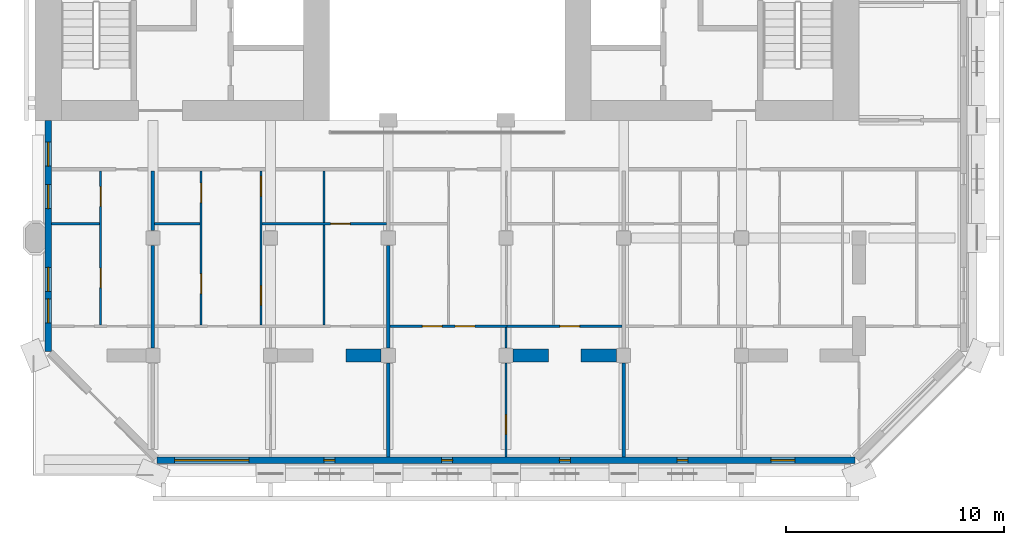
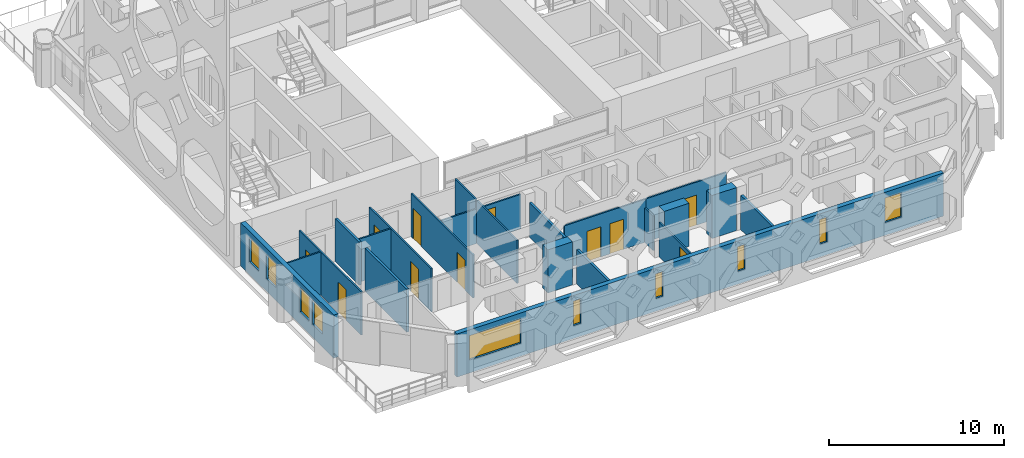
# One storey, part 6 of 15: 22 walls, 11 doors, 10 windows, 21 openings.
"""IFC4 building model written with IfcOpenShell, lengths in metres."""

from ifc_helpers import new_model, si_unit, direction, frame, frame_2d, origin, place, context, subcontext, project, spatial, rectangle, extrude, material, layer, layer_set, type_object, element, fill, save


model = new_model("IFC4")

# Units and contexts
model_context = context("Model", 3, precision=1e-05, world=origin(), true_north=direction((0.0, 1.0)))
body_context = subcontext(model_context, "Body", "Model", "MODEL_VIEW")
ifc_project = project(units=[si_unit("LENGTHUNIT", "METRE"), si_unit("AREAUNIT", "SQUARE_METRE"), si_unit("VOLUMEUNIT", "CUBIC_METRE"), si_unit("PLANEANGLEUNIT", "RADIAN"), si_unit("MASSUNIT", "GRAM", prefix="KILO")], contexts=[model_context])

# Site, building, storey
site_placement = place(None, origin())
site = spatial("IfcSite", under=ifc_project, at=site_placement, CompositionType="ELEMENT")
building_placement = place(site_placement, origin())
building = spatial("IfcBuilding", under=site, at=building_placement, Name="Tabaq Tower and Sports Hall", CompositionType="ELEMENT")
storey_placement = place(building_placement, frame((0.0, 0.0, 265.300048828125)))
storey = spatial("IfcBuildingStorey", under=building, at=storey_placement, Name="L64", CompositionType="ELEMENT", Elevation=265.300048828125)

# Wall
ifc_material_1 = material(Name="Gypsum board on steel studs", Category="steel")
ifc_layer_1 = layer(ifc_material_1, 0.10009765625)
ifc_layer_set_1 = layer_set([ifc_layer_1], Name="Partition 100 Gypsum board")
wall_type_1 = type_object("IfcWallType", Name="Partition 100 Gypsum board", PredefinedType="PARTITIONING", material=ifc_layer_set_1)
wall_1_placement = place(storey_placement, frame((8.35009765625, 11.449951171875, 0.0), z_axis=(0.0, 0.0, 1.0), x_axis=(-1.0, 0.0, 0.0)))
element("IfcWall", 1, at=wall_1_placement, inside=storey, type_object=wall_type_1, Name="Partition wall L64", PredefinedType="PARTITIONING", context=body_context, shape_type="SweptSolid", body=[
    extrude(rectangle(XDim=2.19921875, YDim=0.10009765625, at=frame_2d((1.099609375, 0.0))), origin(), (0.0, 0.0, 1.0), 3.0),
])

# Wall, openings, doors
wall_2_placement = place(storey_placement, frame((8.39990234375, 6.800048828125, 0.0), z_axis=(0.0, 0.0, 1.0), x_axis=(0.0, 1.0, 0.0)))
wall_2 = element("IfcWall", 2, at=wall_2_placement, inside=storey, type_object=wall_type_1, Name="Partition wall L64", PredefinedType="PARTITIONING", context=body_context, shape_type="SweptSolid", body=[
    extrude(rectangle(XDim=7.074951171875, YDim=0.10009765625, at=frame_2d((3.53759765625, 0.0))), origin(), (0.0, 0.0, 1.0), 3.0),
])
opening_1_placement = place(wall_2_placement, frame((5.449951171875, 0.0, 0.0)))
opening_1 = element("IfcOpeningElement", 3, at=opening_1_placement, cuts=wall_2, Name="Opening L64-014", PredefinedType="OPENING", context=body_context, shape_type="SweptSolid", body=[
    extrude(rectangle(XDim=0.89990234375, YDim=2.10009765625, at=frame_2d((0.449951171875, 1.050048828125))), frame((0.0, 0.050048828125, 0.0), z_axis=(0.0, -1.0, 0.0), x_axis=(1.0, 0.0, 0.0)), (0.0, 0.0, 1.0), 0.10009765625),
])
opening_2_placement = place(wall_2_placement, frame((1.717041015625, 0.0, 0.0)))
opening_2 = element("IfcOpeningElement", 4, at=opening_2_placement, cuts=wall_2, Name="Opening L64-036", PredefinedType="OPENING", context=body_context, shape_type="SweptSolid", body=[
    extrude(rectangle(XDim=0.89990234375, YDim=2.10009765625, at=frame_2d((0.449951171875, 1.050048828125))), frame((0.0, 0.050048828125, 0.0), z_axis=(0.0, -1.0, 0.0), x_axis=(1.0, 0.0, 0.0)), (0.0, 0.0, 1.0), 0.10009765625),
])
ifc_material_2 = material(Name="Timber leaf in steel frame", Category="steel")
door_type_1 = type_object("IfcDoorType", Name="Internal door 900 left hand", OperationType="SINGLE_SWING_LEFT", PredefinedType="DOOR", material=ifc_material_2)
door_1_placement = place(opening_2_placement, origin())
door_1 = element("IfcDoor", 5, at=door_1_placement, inside=storey, type_object=door_type_1, Name="Internal door L64-036", OperationType="SINGLE_SWING_LEFT", OverallHeight=2.10009765625, OverallWidth=0.89990234375, PredefinedType="DOOR", context=body_context, shape_type="SweptSolid", body=[
    extrude(rectangle(XDim=0.89990234375, YDim=2.10009765625, at=frame_2d((0.449951171875, 1.050048828125))), frame((0.0, 0.02490234375, 0.0), z_axis=(0.0, -1.0, 0.0), x_axis=(1.0, 0.0, 0.0)), (0.0, 0.0, 1.0), 0.050048828125),
])
fill(opening_2, door_1)
ifc_material_3 = material(Name="Timber leaf in steel frame", Category="steel")
door_type_2 = type_object("IfcDoorType", Name="Internal door 900 right hand", OperationType="SINGLE_SWING_RIGHT", PredefinedType="DOOR", material=ifc_material_3)
door_2_placement = place(opening_1_placement, origin())
door_2 = element("IfcDoor", 6, at=door_2_placement, inside=storey, type_object=door_type_2, Name="Internal door L64-014", OperationType="SINGLE_SWING_RIGHT", OverallHeight=2.10009765625, OverallWidth=0.89990234375, PredefinedType="DOOR", context=body_context, shape_type="SweptSolid", body=[
    extrude(rectangle(XDim=0.89990234375, YDim=2.10009765625, at=frame_2d((0.449951171875, 1.050048828125))), frame((0.0, 0.02490234375, 0.0), z_axis=(0.0, -1.0, 0.0), x_axis=(1.0, 0.0, 0.0)), (0.0, 0.0, 1.0), 0.050048828125),
])
fill(opening_1, door_2)

# Wall
wall_3_placement = place(storey_placement, frame((12.9619140625, 11.449951171875, 0.0), z_axis=(0.0, 0.0, 1.0), x_axis=(-1.0, 0.0, 0.0)))
element("IfcWall", 7, at=wall_3_placement, inside=storey, type_object=wall_type_1, Name="Partition wall L64", PredefinedType="PARTITIONING", context=body_context, shape_type="SweptSolid", body=[
    extrude(rectangle(XDim=2.0869140625, YDim=0.10009765625, at=frame_2d((1.04345703125, 0.0))), origin(), (0.0, 0.0, 1.0), 3.0),
])

# Wall, openings, doors
wall_4_placement = place(storey_placement, frame((13.011962890625, 6.800048828125, 0.0), z_axis=(0.0, 0.0, 1.0), x_axis=(0.0, 1.0, 0.0)))
wall_4 = element("IfcWall", 8, at=wall_4_placement, inside=storey, type_object=wall_type_1, Name="Partition wall L64", PredefinedType="PARTITIONING", context=body_context, shape_type="SweptSolid", body=[
    extrude(rectangle(XDim=7.074951171875, YDim=0.10009765625, at=frame_2d((3.53759765625, 0.0))), origin(), (0.0, 0.0, 1.0), 3.0),
])
opening_3_placement = place(wall_4_placement, frame((5.616943359375, 0.0, 0.0)))
opening_3 = element("IfcOpeningElement", 9, at=opening_3_placement, cuts=wall_4, Name="Opening L64-015", PredefinedType="OPENING", context=body_context, shape_type="SweptSolid", body=[
    extrude(rectangle(XDim=0.89990234375, YDim=2.10009765625, at=frame_2d((0.449951171875, 1.050048828125))), frame((0.0, 0.050048828125, 0.0), z_axis=(0.0, -1.0, 0.0), x_axis=(1.0, 0.0, 0.0)), (0.0, 0.0, 1.0), 0.10009765625),
])
opening_4_placement = place(wall_4_placement, frame((1.449951171875, 0.0, 0.0)))
opening_4 = element("IfcOpeningElement", 10, at=opening_4_placement, cuts=wall_4, Name="Opening L64-040", PredefinedType="OPENING", context=body_context, shape_type="SweptSolid", body=[
    extrude(rectangle(XDim=0.89990234375, YDim=2.10009765625, at=frame_2d((0.449951171875, 1.050048828125))), frame((0.0, 0.050048828125, 0.0), z_axis=(0.0, -1.0, 0.0), x_axis=(1.0, 0.0, 0.0)), (0.0, 0.0, 1.0), 0.10009765625),
])
door_3_placement = place(opening_3_placement, origin())
door_3 = element("IfcDoor", 11, at=door_3_placement, inside=storey, type_object=door_type_1, Name="Internal door L64-015", OperationType="SINGLE_SWING_LEFT", OverallHeight=2.10009765625, OverallWidth=0.89990234375, PredefinedType="DOOR", context=body_context, shape_type="SweptSolid", body=[
    extrude(rectangle(XDim=0.89990234375, YDim=2.10009765625, at=frame_2d((0.449951171875, 1.050048828125))), frame((0.0, 0.02490234375, 0.0), z_axis=(0.0, -1.0, 0.0), x_axis=(1.0, 0.0, 0.0)), (0.0, 0.0, 1.0), 0.050048828125),
])
fill(opening_3, door_3)
door_4_placement = place(opening_4_placement, origin())
door_4 = element("IfcDoor", 12, at=door_4_placement, inside=storey, type_object=door_type_2, Name="Internal door L64-040", OperationType="SINGLE_SWING_RIGHT", OverallHeight=2.10009765625, OverallWidth=0.89990234375, PredefinedType="DOOR", context=body_context, shape_type="SweptSolid", body=[
    extrude(rectangle(XDim=0.89990234375, YDim=2.10009765625, at=frame_2d((0.449951171875, 1.050048828125))), frame((0.0, 0.02490234375, 0.0), z_axis=(0.0, -1.0, 0.0), x_axis=(1.0, 0.0, 0.0)), (0.0, 0.0, 1.0), 0.050048828125),
])
fill(opening_4, door_4)

wall_5_placement = place(storey_placement, frame((15.761962890625, 6.800048828125, 0.0), z_axis=(0.0, 0.0, 1.0), x_axis=(0.0, 1.0, 0.0)))
wall_5 = element("IfcWall", 13, at=wall_5_placement, inside=storey, type_object=wall_type_1, Name="Partition wall L64", PredefinedType="PARTITIONING", context=body_context, shape_type="SweptSolid", body=[
    extrude(rectangle(XDim=7.074951171875, YDim=0.10009765625, at=frame_2d((3.53759765625, 0.0))), origin(), (0.0, 0.0, 1.0), 3.0),
])
opening_5_placement = place(wall_5_placement, frame((0.9169921875, 0.0, 0.0)))
opening_5 = element("IfcOpeningElement", 14, at=opening_5_placement, cuts=wall_5, Name="Opening L64-016", PredefinedType="OPENING", context=body_context, shape_type="SweptSolid", body=[
    extrude(rectangle(XDim=0.89990234375, YDim=2.10009765625, at=frame_2d((0.449951171875, 1.050048828125))), frame((0.0, 0.050048828125, 0.0), z_axis=(0.0, -1.0, 0.0), x_axis=(1.0, 0.0, 0.0)), (0.0, 0.0, 1.0), 0.10009765625),
])
opening_6_placement = place(wall_5_placement, frame((5.925048828125, 0.0, 0.0)))
opening_6 = element("IfcOpeningElement", 15, at=opening_6_placement, cuts=wall_5, Name="Opening L64-017", PredefinedType="OPENING", context=body_context, shape_type="SweptSolid", body=[
    extrude(rectangle(XDim=0.89990234375, YDim=2.10009765625, at=frame_2d((0.449951171875, 1.050048828125))), frame((0.0, 0.050048828125, 0.0), z_axis=(0.0, -1.0, 0.0), x_axis=(1.0, 0.0, 0.0)), (0.0, 0.0, 1.0), 0.10009765625),
])
door_5_placement = place(opening_5_placement, origin())
door_5 = element("IfcDoor", 16, at=door_5_placement, inside=storey, type_object=door_type_2, Name="Internal door L64-016", OperationType="SINGLE_SWING_RIGHT", OverallHeight=2.10009765625, OverallWidth=0.89990234375, PredefinedType="DOOR", context=body_context, shape_type="SweptSolid", body=[
    extrude(rectangle(XDim=0.89990234375, YDim=2.10009765625, at=frame_2d((0.449951171875, 1.050048828125))), frame((0.0, 0.02490234375, 0.0), z_axis=(0.0, -1.0, 0.0), x_axis=(1.0, 0.0, 0.0)), (0.0, 0.0, 1.0), 0.050048828125),
])
fill(opening_5, door_5)
door_6_placement = place(opening_6_placement, origin())
door_6 = element("IfcDoor", 17, at=door_6_placement, inside=storey, type_object=door_type_2, Name="Internal door L64-017", OperationType="SINGLE_SWING_RIGHT", OverallHeight=2.10009765625, OverallWidth=0.89990234375, PredefinedType="DOOR", context=body_context, shape_type="SweptSolid", body=[
    extrude(rectangle(XDim=0.89990234375, YDim=2.10009765625, at=frame_2d((0.449951171875, 1.050048828125))), frame((0.0, 0.02490234375, 0.0), z_axis=(0.0, -1.0, 0.0), x_axis=(1.0, 0.0, 0.0)), (0.0, 0.0, 1.0), 0.050048828125),
])
fill(opening_6, door_6)

# Walls
wall_6_placement = place(storey_placement, frame((18.64990234375, 6.800048828125, 0.0), z_axis=(0.0, 0.0, 1.0), x_axis=(0.0, 1.0, 0.0)))
element("IfcWall", 18, at=wall_6_placement, inside=storey, type_object=wall_type_1, Name="Partition wall L64", PredefinedType="PARTITIONING", context=body_context, shape_type="SweptSolid", body=[
    extrude(rectangle(XDim=4.599853515625, YDim=0.10009765625, at=frame_2d((2.2998046875, 0.0))), origin(), (0.0, 0.0, 1.0), 3.0),
])
wall_7_placement = place(storey_placement, frame((18.64990234375, 11.5, 0.0), z_axis=(0.0, 0.0, 1.0), x_axis=(0.0, 1.0, 0.0)))
element("IfcWall", 19, at=wall_7_placement, inside=storey, type_object=wall_type_1, Name="Partition wall L64", PredefinedType="PARTITIONING", context=body_context, shape_type="SweptSolid", body=[
    extrude(rectangle(XDim=2.375, YDim=0.10009765625, at=frame_2d((1.1875, 0.0))), origin(), (0.0, 0.0, 1.0), 3.0),
])

# Wall, opening, door
wall_8_placement = place(storey_placement, frame((21.52490234375, 11.449951171875, 0.0), z_axis=(0.0, 0.0, 1.0), x_axis=(-1.0, 0.0, 0.0)))
wall_8 = element("IfcWall", 20, at=wall_8_placement, inside=storey, type_object=wall_type_1, Name="Partition wall L64", PredefinedType="PARTITIONING", context=body_context, shape_type="SweptSolid", body=[
    extrude(rectangle(XDim=5.712890625, YDim=0.10009765625, at=frame_2d((2.8564453125, 0.0))), origin(), (0.0, 0.0, 1.0), 2.39990234375),
])
opening_7_placement = place(wall_8_placement, frame((1.675048828125, 0.0, 0.0)))
opening_7 = element("IfcOpeningElement", 21, at=opening_7_placement, cuts=wall_8, Name="Opening L64-018", PredefinedType="OPENING", context=body_context, shape_type="SweptSolid", body=[
    extrude(rectangle(XDim=0.89990234375, YDim=2.10009765625, at=frame_2d((0.449951171875, 1.050048828125))), frame((0.0, 0.050048828125, 0.0), z_axis=(0.0, -1.0, 0.0), x_axis=(1.0, 0.0, 0.0)), (0.0, 0.0, 1.0), 0.10009765625),
])
door_7_placement = place(opening_7_placement, origin())
door_7 = element("IfcDoor", 22, at=door_7_placement, inside=storey, type_object=door_type_2, Name="Internal door L64-018", OperationType="SINGLE_SWING_RIGHT", OverallHeight=2.10009765625, OverallWidth=0.89990234375, PredefinedType="DOOR", context=body_context, shape_type="SweptSolid", body=[
    extrude(rectangle(XDim=0.89990234375, YDim=2.10009765625, at=frame_2d((0.449951171875, 1.050048828125))), frame((0.0, 0.02490234375, 0.0), z_axis=(0.0, -1.0, 0.0), x_axis=(1.0, 0.0, 0.0)), (0.0, 0.0, 1.0), 0.050048828125),
])
fill(opening_7, door_7)

# Wall, openings, doors
wall_9_placement = place(storey_placement, frame((27.050048828125, 6.75, 0.0), z_axis=(0.0, 0.0, 1.0), x_axis=(-1.0, 0.0, 0.0)))
wall_9 = element("IfcWall", 23, at=wall_9_placement, inside=storey, type_object=wall_type_1, Name="Partition wall L64", PredefinedType="PARTITIONING", context=body_context, shape_type="SweptSolid", body=[
    extrude(rectangle(XDim=5.375, YDim=0.10009765625, at=frame_2d((2.6875, 0.0))), origin(), (0.0, 0.0, 1.0), 3.0),
])
opening_8_placement = place(wall_9_placement, frame((2.97998046875, 0.0, 0.0)))
opening_8 = element("IfcOpeningElement", 24, at=opening_8_placement, cuts=wall_9, Name="Opening L64-042", PredefinedType="OPENING", context=body_context, shape_type="SweptSolid", body=[
    extrude(rectangle(XDim=0.89990234375, YDim=2.10009765625, at=frame_2d((0.449951171875, 1.050048828125))), frame((0.0, 0.050048828125, 0.0), z_axis=(0.0, -1.0, 0.0), x_axis=(1.0, 0.0, 0.0)), (0.0, 0.0, 1.0), 0.10009765625),
])
opening_9_placement = place(wall_9_placement, frame((1.47998046875, 0.0, 0.0)))
opening_9 = element("IfcOpeningElement", 25, at=opening_9_placement, cuts=wall_9, Name="Opening L64-055", PredefinedType="OPENING", context=body_context, shape_type="SweptSolid", body=[
    extrude(rectangle(XDim=0.89990234375, YDim=2.10009765625, at=frame_2d((0.449951171875, 1.050048828125))), frame((0.0, 0.050048828125, 0.0), z_axis=(0.0, -1.0, 0.0), x_axis=(1.0, 0.0, 0.0)), (0.0, 0.0, 1.0), 0.10009765625),
])
door_8_placement = place(opening_9_placement, origin())
door_8 = element("IfcDoor", 26, at=door_8_placement, inside=storey, type_object=door_type_1, Name="Internal door L64-055", OperationType="SINGLE_SWING_LEFT", OverallHeight=2.10009765625, OverallWidth=0.89990234375, PredefinedType="DOOR", context=body_context, shape_type="SweptSolid", body=[
    extrude(rectangle(XDim=0.89990234375, YDim=2.10009765625, at=frame_2d((0.449951171875, 1.050048828125))), frame((0.0, 0.02490234375, 0.0), z_axis=(0.0, -1.0, 0.0), x_axis=(1.0, 0.0, 0.0)), (0.0, 0.0, 1.0), 0.050048828125),
])
fill(opening_9, door_8)
door_9_placement = place(opening_8_placement, origin())
door_9 = element("IfcDoor", 27, at=door_9_placement, inside=storey, type_object=door_type_2, Name="Internal door L64-042", OperationType="SINGLE_SWING_RIGHT", OverallHeight=2.10009765625, OverallWidth=0.89990234375, PredefinedType="DOOR", context=body_context, shape_type="SweptSolid", body=[
    extrude(rectangle(XDim=0.89990234375, YDim=2.10009765625, at=frame_2d((0.449951171875, 1.050048828125))), frame((0.0, 0.02490234375, 0.0), z_axis=(0.0, -1.0, 0.0), x_axis=(1.0, 0.0, 0.0)), (0.0, 0.0, 1.0), 0.050048828125),
])
fill(opening_8, door_9)

# Wall, opening, door
wall_10_placement = place(storey_placement, frame((27.0, 0.7509765625, 0.0), z_axis=(0.0, 0.0, 1.0), x_axis=(0.0, 1.0, 0.0)))
wall_10 = element("IfcWall", 28, at=wall_10_placement, inside=storey, type_object=wall_type_1, Name="Partition wall L64", PredefinedType="PARTITIONING", context=body_context, shape_type="SweptSolid", body=[
    extrude(rectangle(XDim=4.303955078125, YDim=0.10009765625, at=frame_2d((2.15185546875, 0.0))), origin(), (0.0, 0.0, 1.0), 2.39990234375),
])
opening_10_placement = place(wall_10_placement, frame((1.049072265625, 0.0, 0.0)))
opening_10 = element("IfcOpeningElement", 29, at=opening_10_placement, cuts=wall_10, Name="Opening L64-041", PredefinedType="OPENING", context=body_context, shape_type="SweptSolid", body=[
    extrude(rectangle(XDim=0.89990234375, YDim=2.10009765625, at=frame_2d((0.449951171875, 1.050048828125))), frame((0.0, 0.050048828125, 0.0), z_axis=(0.0, -1.0, 0.0), x_axis=(1.0, 0.0, 0.0)), (0.0, 0.0, 1.0), 0.10009765625),
])
door_10_placement = place(opening_10_placement, origin())
door_10 = element("IfcDoor", 30, at=door_10_placement, inside=storey, type_object=door_type_2, Name="Internal door L64-041", OperationType="SINGLE_SWING_RIGHT", OverallHeight=2.10009765625, OverallWidth=0.89990234375, PredefinedType="DOOR", context=body_context, shape_type="SweptSolid", body=[
    extrude(rectangle(XDim=0.89990234375, YDim=2.10009765625, at=frame_2d((0.449951171875, 1.050048828125))), frame((0.0, 0.02490234375, 0.0), z_axis=(0.0, -1.0, 0.0), x_axis=(1.0, 0.0, 0.0)), (0.0, 0.0, 1.0), 0.050048828125),
])
fill(opening_10, door_10)

# Wall
wall_11_placement = place(storey_placement, frame((27.0, 5.7451171875, 0.0), z_axis=(0.0, 0.0, 1.0), x_axis=(0.0, 1.0, 0.0)))
element("IfcWall", 31, at=wall_11_placement, inside=storey, type_object=wall_type_1, Name="Partition wall L64", PredefinedType="PARTITIONING", context=body_context, shape_type="SweptSolid", body=[
    extrude(rectangle(XDim=0.954833984375, YDim=0.10009765625, at=frame_2d((0.4775390625, 0.0))), origin(), (0.0, 0.0, 1.0), 2.39990234375),
])

# Wall, opening, door
wall_12_placement = place(storey_placement, frame((32.324951171875, 6.75, 0.0), z_axis=(0.0, 0.0, 1.0), x_axis=(-1.0, 0.0, 0.0)))
wall_12 = element("IfcWall", 32, at=wall_12_placement, inside=storey, type_object=wall_type_1, Name="Partition wall L64", PredefinedType="PARTITIONING", context=body_context, shape_type="SweptSolid", body=[
    extrude(rectangle(XDim=5.35498046875, YDim=0.10009765625, at=frame_2d((2.677490234375, 0.0))), origin(), (0.0, 0.0, 1.0), 3.0),
])
opening_11_placement = place(wall_12_placement, frame((1.948974609375, 0.0, 0.0)))
opening_11 = element("IfcOpeningElement", 33, at=opening_11_placement, cuts=wall_12, Name="Opening L64-043", PredefinedType="OPENING", context=body_context, shape_type="SweptSolid", body=[
    extrude(rectangle(XDim=0.89990234375, YDim=2.10009765625, at=frame_2d((0.449951171875, 1.050048828125))), frame((0.0, 0.050048828125, 0.0), z_axis=(0.0, -1.0, 0.0), x_axis=(1.0, 0.0, 0.0)), (0.0, 0.0, 1.0), 0.10009765625),
])
door_11_placement = place(opening_11_placement, origin())
door_11 = element("IfcDoor", 34, at=door_11_placement, inside=storey, type_object=door_type_1, Name="Internal door L64-043", OperationType="SINGLE_SWING_LEFT", OverallHeight=2.10009765625, OverallWidth=0.89990234375, PredefinedType="DOOR", context=body_context, shape_type="SweptSolid", body=[
    extrude(rectangle(XDim=0.89990234375, YDim=2.10009765625, at=frame_2d((0.449951171875, 1.050048828125))), frame((0.0, 0.02490234375, 0.0), z_axis=(0.0, -1.0, 0.0), x_axis=(1.0, 0.0, 0.0)), (0.0, 0.0, 1.0), 0.050048828125),
])
fill(opening_11, door_11)

# Walls
ifc_material_4 = material(Name="Concrete C40/50", Category="concrete")
ifc_layer_2 = layer(ifc_material_4, 0.60009765625)
ifc_layer_set_2 = layer_set([ifc_layer_2], Name="RC TRANSFER WALL 600 C40/50")
wall_type_2 = type_object("IfcWallType", Name="RC TRANSFER WALL 600 C40/50", PredefinedType="SHEAR", material=ifc_layer_set_2)
for number, where, z_axis, x_axis, name in (
    (35, (19.64990234375, 5.39990234375, 0.0), (0.0, 0.0, 1.0), (1.0, 0.0, 0.0), "Transfer Wall L64 South 8"),
    (36, (27.324951171875, 5.39990234375, 0.0), (0.0, 0.0, 1.0), (1.0, 0.0, 0.0), "Transfer Wall L64 South 9"),
    (37, (30.449951171875, 5.39990234375, 0.0), (0.0, 0.0, 1.0), (1.0, 0.0, 0.0), "Transfer Wall L64 South 10"),
):
    element("IfcWall", number, at=place(storey_placement, frame(where, z_axis=z_axis, x_axis=x_axis)), inside=storey, type_object=wall_type_2, Name=name, PredefinedType="SHEAR", context=body_context, shape_type="SweptSolid", body=[
        extrude(rectangle(XDim=1.625, YDim=0.60009765625, at=frame_2d((0.8125, 0.0))), origin(), (0.0, 0.0, 1.0), 3.0),
    ])
ifc_material_5 = material(Name="Blockwork", Category="masonry")
ifc_layer_3 = layer(ifc_material_5, 0.14990234375)
ifc_layer_set_3 = layer_set([ifc_layer_3], Name="Separating wall 150 Blockwork")
wall_type_3 = type_object("IfcWallType", Name="Separating wall 150 Blockwork", PredefinedType="PARTITIONING", material=ifc_layer_set_3)
wall_13_placement = place(storey_placement, frame((10.800048828125, 5.7451171875, 0.0), z_axis=(0.0, 0.0, 1.0), x_axis=(0.0, 1.0, 0.0)))
element("IfcWall", 38, at=wall_13_placement, inside=storey, type_object=wall_type_3, Name="Separating wall L64", PredefinedType="PARTITIONING", context=body_context, shape_type="SweptSolid", body=[
    extrude(rectangle(XDim=4.7099609375, YDim=0.14990234375, at=frame_2d((2.35498046875, 0.0))), origin(), (0.0, 0.0, 1.0), 3.0),
])
wall_14_placement = place(storey_placement, frame((10.800048828125, 11.14501953125, 0.0), z_axis=(0.0, 0.0, 1.0), x_axis=(0.0, 1.0, 0.0)))
element("IfcWall", 39, at=wall_14_placement, inside=storey, type_object=wall_type_3, Name="Separating wall L64", PredefinedType="PARTITIONING", context=body_context, shape_type="SweptSolid", body=[
    extrude(rectangle(XDim=2.72998046875, YDim=0.14990234375, at=frame_2d((1.364990234375, 0.0))), origin(), (0.0, 0.0, 1.0), 3.0),
])
wall_15_placement = place(storey_placement, frame((21.60009765625, 0.7509765625, 0.0), z_axis=(0.0, 0.0, 1.0), x_axis=(0.0, 1.0, 0.0)))
element("IfcWall", 40, at=wall_15_placement, inside=storey, type_object=wall_type_3, Name="Separating wall L64", PredefinedType="PARTITIONING", context=body_context, shape_type="SweptSolid", body=[
    extrude(rectangle(XDim=4.303955078125, YDim=0.14990234375, at=frame_2d((2.15185546875, 0.0))), origin(), (0.0, 0.0, 1.0), 2.39990234375),
])
wall_16_placement = place(storey_placement, frame((21.60009765625, 5.7451171875, 0.0), z_axis=(0.0, 0.0, 1.0), x_axis=(0.0, 1.0, 0.0)))
element("IfcWall", 41, at=wall_16_placement, inside=storey, type_object=wall_type_3, Name="Separating wall L64", PredefinedType="PARTITIONING", context=body_context, shape_type="SweptSolid", body=[
    extrude(rectangle(XDim=4.7099609375, YDim=0.14990234375, at=frame_2d((2.35498046875, 0.0))), origin(), (0.0, 0.0, 1.0), 2.39990234375),
])
wall_17_placement = place(storey_placement, frame((32.39990234375, 0.7509765625, 0.0), z_axis=(0.0, 0.0, 1.0), x_axis=(0.0, 1.0, 0.0)))
element("IfcWall", 42, at=wall_17_placement, inside=storey, type_object=wall_type_3, Name="Separating wall L64", PredefinedType="PARTITIONING", context=body_context, shape_type="SweptSolid", body=[
    extrude(rectangle(XDim=4.303955078125, YDim=0.14990234375, at=frame_2d((2.15185546875, 0.0))), origin(), (0.0, 0.0, 1.0), 2.39990234375),
])

# Wall, openings, windows
ifc_material_6 = material(Name="White precast concrete C60/75", Category="concrete")
ifc_layer_4 = layer(ifc_material_6, 0.300048828125)
ifc_layer_set_4 = layer_set([ifc_layer_4], Name="White precast concrete C60/75 external wall 300")
wall_type_4 = type_object("IfcWallType", Name="White precast concrete C60/75 external wall 300", PredefinedType="SOLIDWALL", material=ifc_layer_set_4)
wall_18_placement = place(storey_placement, frame((10.986328125, 0.60009765625, 0.0), z_axis=(0.0, 0.0, 1.0), x_axis=(1.0, 0.0, 0.0)))
wall_18 = element("IfcWall", 43, at=wall_18_placement, inside=storey, type_object=wall_type_4, Name="External Wall L64 S", PredefinedType="SOLIDWALL", context=body_context, shape_type="SweptSolid", body=[
    extrude(rectangle(XDim=32.02734375, YDim=0.300048828125, at=frame_2d((16.013671875, 0.0))), origin(), (0.0, 0.0, 1.0), 3.0),
])
opening_12_placement = place(wall_18_placement, frame((0.813720703125, 0.0, 0.89990234375)))
opening_12 = element("IfcOpeningElement", 44, at=opening_12_placement, cuts=wall_18, Name="Opening W1A", PredefinedType="OPENING", context=body_context, shape_type="SweptSolid", body=[
    extrude(rectangle(XDim=3.39990234375, YDim=1.699951171875, at=frame_2d((1.699951171875, 0.85009765625))), frame((0.0, 0.16015625, 0.0), z_axis=(0.0, -1.0, 0.0), x_axis=(1.0, 0.0, 0.0)), (0.0, 0.0, 1.0), 0.320068359375),
])
opening_13_placement = place(wall_18_placement, frame((7.66357421875, 0.0, 0.89990234375)))
opening_13 = element("IfcOpeningElement", 45, at=opening_13_placement, cuts=wall_18, Name="Opening W1E", PredefinedType="OPENING", context=body_context, shape_type="SweptSolid", body=[
    extrude(rectangle(XDim=0.5, YDim=1.699951171875, at=frame_2d((0.25, 0.85009765625))), frame((0.0, 0.16015625, 0.0), z_axis=(0.0, -1.0, 0.0), x_axis=(1.0, 0.0, 0.0)), (0.0, 0.0, 1.0), 0.320068359375),
])
opening_14_placement = place(wall_18_placement, frame((13.063720703125, 0.0, 0.89990234375)))
opening_14 = element("IfcOpeningElement", 46, at=opening_14_placement, cuts=wall_18, Name="Opening W1E", PredefinedType="OPENING", context=body_context, shape_type="SweptSolid", body=[
    extrude(rectangle(XDim=0.5, YDim=1.699951171875, at=frame_2d((0.25, 0.85009765625))), frame((0.0, 0.16015625, 0.0), z_axis=(0.0, -1.0, 0.0), x_axis=(1.0, 0.0, 0.0)), (0.0, 0.0, 1.0), 0.320068359375),
])
opening_15_placement = place(wall_18_placement, frame((18.463623046875, 0.0, 0.89990234375)))
opening_15 = element("IfcOpeningElement", 47, at=opening_15_placement, cuts=wall_18, Name="Opening W1E", PredefinedType="OPENING", context=body_context, shape_type="SweptSolid", body=[
    extrude(rectangle(XDim=0.5, YDim=1.699951171875, at=frame_2d((0.25, 0.85009765625))), frame((0.0, 0.16015625, 0.0), z_axis=(0.0, -1.0, 0.0), x_axis=(1.0, 0.0, 0.0)), (0.0, 0.0, 1.0), 0.320068359375),
])
opening_16_placement = place(wall_18_placement, frame((23.863525390625, 0.0, 0.89990234375)))
opening_16 = element("IfcOpeningElement", 48, at=opening_16_placement, cuts=wall_18, Name="Opening W1E", PredefinedType="OPENING", context=body_context, shape_type="SweptSolid", body=[
    extrude(rectangle(XDim=0.5, YDim=1.699951171875, at=frame_2d((0.25, 0.85009765625))), frame((0.0, 0.16015625, 0.0), z_axis=(0.0, -1.0, 0.0), x_axis=(1.0, 0.0, 0.0)), (0.0, 0.0, 1.0), 0.320068359375),
])
opening_17_placement = place(wall_18_placement, frame((28.16357421875, 0.0, 0.89990234375)))
opening_17 = element("IfcOpeningElement", 49, at=opening_17_placement, cuts=wall_18, Name="Opening W1B", PredefinedType="OPENING", context=body_context, shape_type="SweptSolid", body=[
    extrude(rectangle(XDim=1.10009765625, YDim=1.699951171875, at=frame_2d((0.550048828125, 0.85009765625))), frame((0.0, 0.16015625, 0.0), z_axis=(0.0, -1.0, 0.0), x_axis=(1.0, 0.0, 0.0)), (0.0, 0.0, 1.0), 0.320068359375),
])
ifc_material_7 = material(Name="Aluminium framed clear glazing", Category="aluminium")
window_type_1 = type_object("IfcWindowType", Name="Window W1A", PartitioningType="SINGLE_PANEL", PredefinedType="WINDOW", material=ifc_material_7)
window_1_placement = place(opening_12_placement, origin())
window_1 = element("IfcWindow", 50, at=window_1_placement, inside=storey, type_object=window_type_1, Name="Window W1A L64", OverallHeight=1.699951171875, OverallWidth=3.39990234375, PartitioningType="SINGLE_PANEL", PredefinedType="WINDOW", context=body_context, shape_type="SweptSolid", body=[
    extrude(rectangle(XDim=3.39990234375, YDim=1.699951171875, at=frame_2d((1.699951171875, 0.85009765625))), frame((0.0, 0.030029296875, 0.0), z_axis=(0.0, -1.0, 0.0), x_axis=(1.0, 0.0, 0.0)), (0.0, 0.0, 1.0), 0.06005859375),
])
fill(opening_12, window_1)
ifc_material_8 = material(Name="Aluminium framed clear glazing", Category="aluminium")
window_type_2 = type_object("IfcWindowType", Name="Window W1B", PartitioningType="SINGLE_PANEL", PredefinedType="WINDOW", material=ifc_material_8)
window_2_placement = place(opening_17_placement, origin())
window_2 = element("IfcWindow", 51, at=window_2_placement, inside=storey, type_object=window_type_2, Name="Window W1B L64", OverallHeight=1.699951171875, OverallWidth=1.10009765625, PartitioningType="SINGLE_PANEL", PredefinedType="WINDOW", context=body_context, shape_type="SweptSolid", body=[
    extrude(rectangle(XDim=1.10009765625, YDim=1.699951171875, at=frame_2d((0.550048828125, 0.85009765625))), frame((0.0, 0.030029296875, 0.0), z_axis=(0.0, -1.0, 0.0), x_axis=(1.0, 0.0, 0.0)), (0.0, 0.0, 1.0), 0.06005859375),
])
fill(opening_17, window_2)
ifc_material_9 = material(Name="Aluminium framed clear glazing", Category="aluminium")
window_type_3 = type_object("IfcWindowType", Name="Window W1E", PartitioningType="SINGLE_PANEL", PredefinedType="WINDOW", material=ifc_material_9)
window_3_placement = place(opening_13_placement, origin())
window_3 = element("IfcWindow", 52, at=window_3_placement, inside=storey, type_object=window_type_3, Name="Window W1E L64", OverallHeight=1.699951171875, OverallWidth=0.5, PartitioningType="SINGLE_PANEL", PredefinedType="WINDOW", context=body_context, shape_type="SweptSolid", body=[
    extrude(rectangle(XDim=0.5, YDim=1.699951171875, at=frame_2d((0.25, 0.85009765625))), frame((0.0, 0.030029296875, 0.0), z_axis=(0.0, -1.0, 0.0), x_axis=(1.0, 0.0, 0.0)), (0.0, 0.0, 1.0), 0.06005859375),
])
fill(opening_13, window_3)
window_4_placement = place(opening_14_placement, origin())
window_4 = element("IfcWindow", 53, at=window_4_placement, inside=storey, type_object=window_type_3, Name="Window W1E L64", OverallHeight=1.699951171875, OverallWidth=0.5, PartitioningType="SINGLE_PANEL", PredefinedType="WINDOW", context=body_context, shape_type="SweptSolid", body=[
    extrude(rectangle(XDim=0.5, YDim=1.699951171875, at=frame_2d((0.25, 0.85009765625))), frame((0.0, 0.030029296875, 0.0), z_axis=(0.0, -1.0, 0.0), x_axis=(1.0, 0.0, 0.0)), (0.0, 0.0, 1.0), 0.06005859375),
])
fill(opening_14, window_4)
window_5_placement = place(opening_15_placement, origin())
window_5 = element("IfcWindow", 54, at=window_5_placement, inside=storey, type_object=window_type_3, Name="Window W1E L64", OverallHeight=1.699951171875, OverallWidth=0.5, PartitioningType="SINGLE_PANEL", PredefinedType="WINDOW", context=body_context, shape_type="SweptSolid", body=[
    extrude(rectangle(XDim=0.5, YDim=1.699951171875, at=frame_2d((0.25, 0.85009765625))), frame((0.0, 0.030029296875, 0.0), z_axis=(0.0, -1.0, 0.0), x_axis=(1.0, 0.0, 0.0)), (0.0, 0.0, 1.0), 0.06005859375),
])
fill(opening_15, window_5)
window_6_placement = place(opening_16_placement, origin())
window_6 = element("IfcWindow", 55, at=window_6_placement, inside=storey, type_object=window_type_3, Name="Window W1E L64", OverallHeight=1.699951171875, OverallWidth=0.5, PartitioningType="SINGLE_PANEL", PredefinedType="WINDOW", context=body_context, shape_type="SweptSolid", body=[
    extrude(rectangle(XDim=0.5, YDim=1.699951171875, at=frame_2d((0.25, 0.85009765625))), frame((0.0, 0.030029296875, 0.0), z_axis=(0.0, -1.0, 0.0), x_axis=(1.0, 0.0, 0.0)), (0.0, 0.0, 1.0), 0.06005859375),
])
fill(opening_16, window_6)

wall_19_placement = place(storey_placement, frame((6.0, 16.199951171875, 0.0), z_axis=(0.0, 0.0, 1.0), x_axis=(0.0, -1.0, 0.0)))
wall_19 = element("IfcWall", 56, at=wall_19_placement, inside=storey, type_object=wall_type_4, Name="External Wall L64 W", PredefinedType="SOLIDWALL", context=body_context, shape_type="SweptSolid", body=[
    extrude(rectangle(XDim=10.613525390625, YDim=0.300048828125, at=frame_2d((5.306640625, 0.0))), origin(), (0.0, 0.0, 1.0), 3.0),
])
opening_18_placement = place(wall_19_placement, frame((1.0, 0.0, 0.89990234375)))
opening_18 = element("IfcOpeningElement", 57, at=opening_18_placement, cuts=wall_19, Name="Opening W1B", PredefinedType="OPENING", context=body_context, shape_type="SweptSolid", body=[
    extrude(rectangle(XDim=1.10009765625, YDim=1.699951171875, at=frame_2d((0.550048828125, 0.85009765625))), frame((0.0, 0.16015625, 0.0), z_axis=(0.0, -1.0, 0.0), x_axis=(1.0, 0.0, 0.0)), (0.0, 0.0, 1.0), 0.320068359375),
])
opening_19_placement = place(wall_19_placement, frame((2.949951171875, 0.0, 0.89990234375)))
opening_19 = element("IfcOpeningElement", 58, at=opening_19_placement, cuts=wall_19, Name="Opening W1B", PredefinedType="OPENING", context=body_context, shape_type="SweptSolid", body=[
    extrude(rectangle(XDim=1.10009765625, YDim=1.699951171875, at=frame_2d((0.550048828125, 0.85009765625))), frame((0.0, 0.16015625, 0.0), z_axis=(0.0, -1.0, 0.0), x_axis=(1.0, 0.0, 0.0)), (0.0, 0.0, 1.0), 0.320068359375),
])
opening_20_placement = place(wall_19_placement, frame((6.75, 0.0, 0.89990234375)))
opening_20 = element("IfcOpeningElement", 59, at=opening_20_placement, cuts=wall_19, Name="Opening W1B", PredefinedType="OPENING", context=body_context, shape_type="SweptSolid", body=[
    extrude(rectangle(XDim=1.10009765625, YDim=1.699951171875, at=frame_2d((0.550048828125, 0.85009765625))), frame((0.0, 0.16015625, 0.0), z_axis=(0.0, -1.0, 0.0), x_axis=(1.0, 0.0, 0.0)), (0.0, 0.0, 1.0), 0.320068359375),
])
opening_21_placement = place(wall_19_placement, frame((8.199951171875, 0.0, 0.89990234375)))
opening_21 = element("IfcOpeningElement", 60, at=opening_21_placement, cuts=wall_19, Name="Opening W1B", PredefinedType="OPENING", context=body_context, shape_type="SweptSolid", body=[
    extrude(rectangle(XDim=1.10009765625, YDim=1.699951171875, at=frame_2d((0.550048828125, 0.85009765625))), frame((0.0, 0.16015625, 0.0), z_axis=(0.0, -1.0, 0.0), x_axis=(1.0, 0.0, 0.0)), (0.0, 0.0, 1.0), 0.320068359375),
])
window_7_placement = place(opening_18_placement, origin())
window_7 = element("IfcWindow", 61, at=window_7_placement, inside=storey, type_object=window_type_2, Name="Window W1B L64", OverallHeight=1.699951171875, OverallWidth=1.10009765625, PartitioningType="SINGLE_PANEL", PredefinedType="WINDOW", context=body_context, shape_type="SweptSolid", body=[
    extrude(rectangle(XDim=1.10009765625, YDim=1.699951171875, at=frame_2d((0.550048828125, 0.85009765625))), frame((0.0, 0.030029296875, 0.0), z_axis=(0.0, -1.0, 0.0), x_axis=(1.0, 0.0, 0.0)), (0.0, 0.0, 1.0), 0.06005859375),
])
fill(opening_18, window_7)
window_8_placement = place(opening_19_placement, origin())
window_8 = element("IfcWindow", 62, at=window_8_placement, inside=storey, type_object=window_type_2, Name="Window W1B L64", OverallHeight=1.699951171875, OverallWidth=1.10009765625, PartitioningType="SINGLE_PANEL", PredefinedType="WINDOW", context=body_context, shape_type="SweptSolid", body=[
    extrude(rectangle(XDim=1.10009765625, YDim=1.699951171875, at=frame_2d((0.550048828125, 0.85009765625))), frame((0.0, 0.030029296875, 0.0), z_axis=(0.0, -1.0, 0.0), x_axis=(1.0, 0.0, 0.0)), (0.0, 0.0, 1.0), 0.06005859375),
])
fill(opening_19, window_8)
window_9_placement = place(opening_20_placement, origin())
window_9 = element("IfcWindow", 63, at=window_9_placement, inside=storey, type_object=window_type_2, Name="Window W1B L64", OverallHeight=1.699951171875, OverallWidth=1.10009765625, PartitioningType="SINGLE_PANEL", PredefinedType="WINDOW", context=body_context, shape_type="SweptSolid", body=[
    extrude(rectangle(XDim=1.10009765625, YDim=1.699951171875, at=frame_2d((0.550048828125, 0.85009765625))), frame((0.0, 0.030029296875, 0.0), z_axis=(0.0, -1.0, 0.0), x_axis=(1.0, 0.0, 0.0)), (0.0, 0.0, 1.0), 0.06005859375),
])
fill(opening_20, window_9)
window_10_placement = place(opening_21_placement, origin())
window_10 = element("IfcWindow", 64, at=window_10_placement, inside=storey, type_object=window_type_2, Name="Window W1B L64", OverallHeight=1.699951171875, OverallWidth=1.10009765625, PartitioningType="SINGLE_PANEL", PredefinedType="WINDOW", context=body_context, shape_type="SweptSolid", body=[
    extrude(rectangle(XDim=1.10009765625, YDim=1.699951171875, at=frame_2d((0.550048828125, 0.85009765625))), frame((0.0, 0.030029296875, 0.0), z_axis=(0.0, -1.0, 0.0), x_axis=(1.0, 0.0, 0.0)), (0.0, 0.0, 1.0), 0.06005859375),
])
fill(opening_21, window_10)

save(model, "model.ifc")
